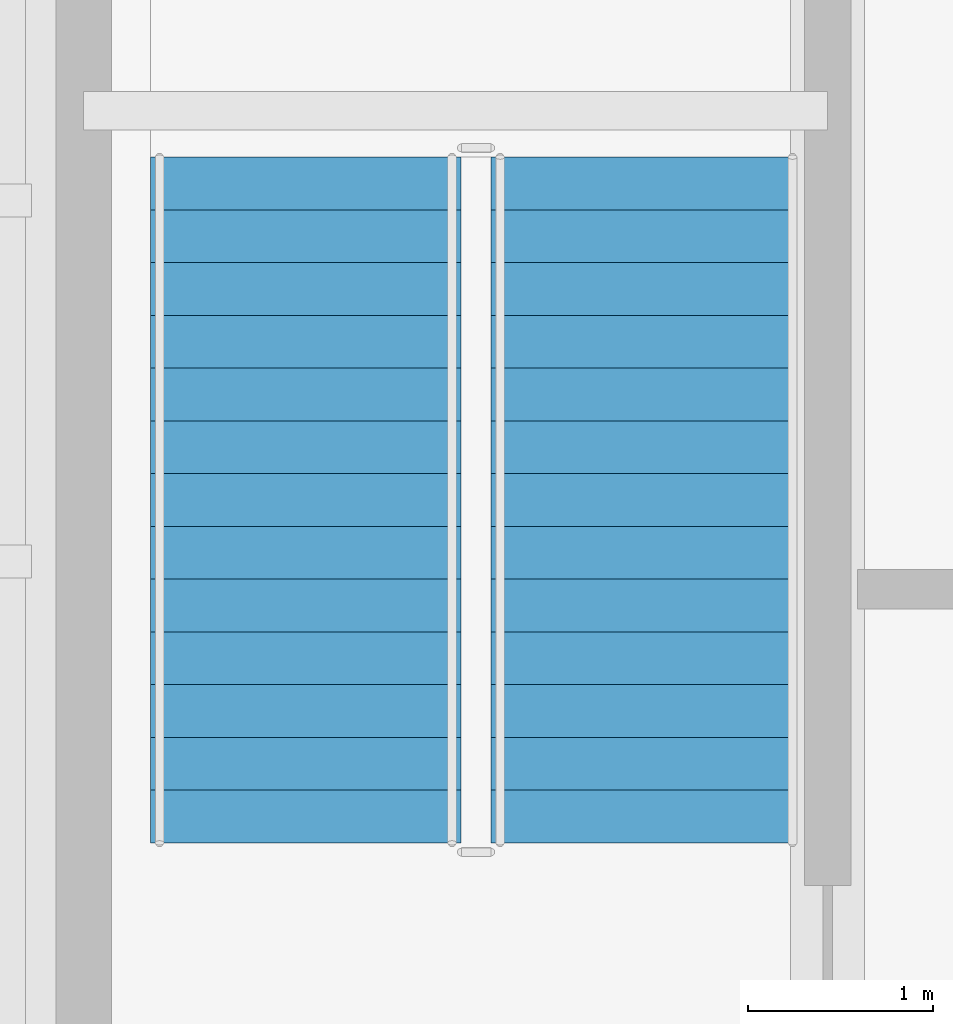
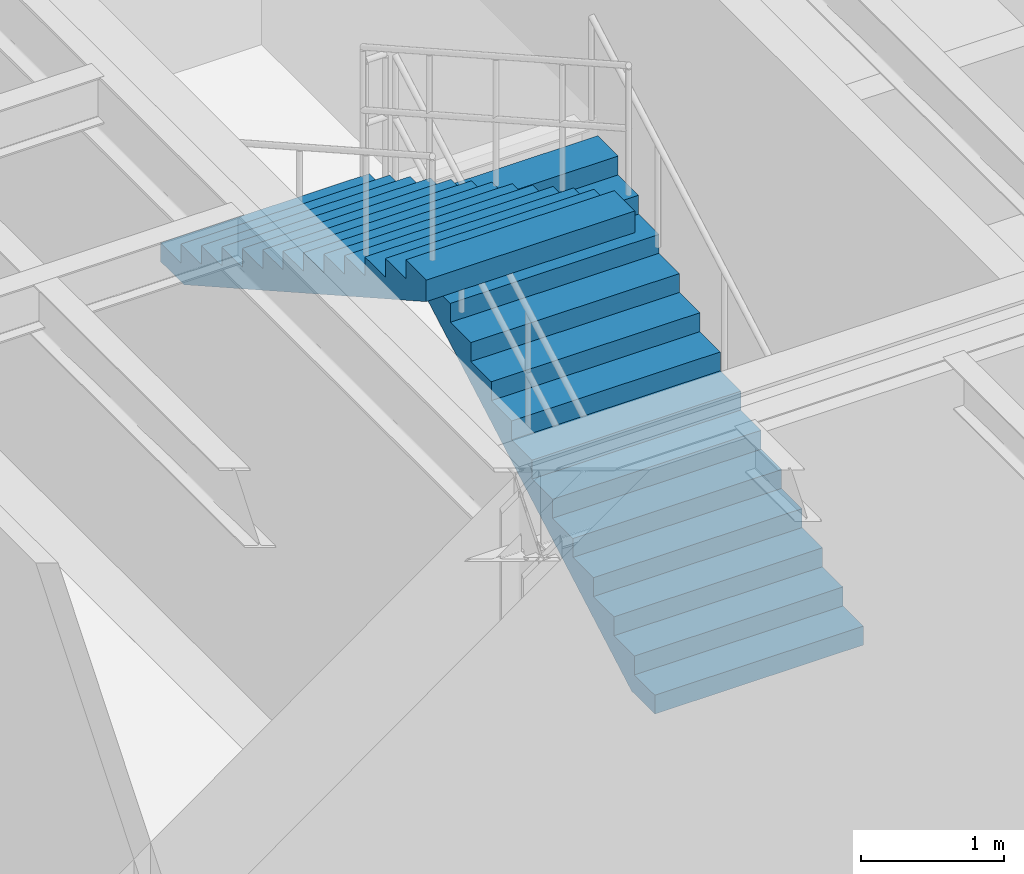
# One storey, part 37 of 41: 2 stair flights, 1 element without a shape of its own.
"""IFC4 building model written with IfcOpenShell, lengths in metres."""

from ifc_helpers import new_model, si_unit, direction, frame, origin, place, context, subcontext, project, spatial, polyline, outline, extrude, material, type_object, element, aggregate, save


model = new_model("IFC4")

# Units and contexts
model_context = context("Model", 3, precision=1e-05, world=origin(), true_north=direction((0.0, 1.0)))
body_context = subcontext(model_context, "Body", "Model", "MODEL_VIEW")
ifc_project = project(units=[si_unit("LENGTHUNIT", "METRE"), si_unit("AREAUNIT", "SQUARE_METRE"), si_unit("VOLUMEUNIT", "CUBIC_METRE"), si_unit("PLANEANGLEUNIT", "RADIAN"), si_unit("MASSUNIT", "GRAM", prefix="KILO")], contexts=[model_context])

# Site, building, storey
site_placement = place(None, origin())
site = spatial("IfcSite", under=ifc_project, at=site_placement, CompositionType="ELEMENT")
building_placement = place(site_placement, origin())
building = spatial("IfcBuilding", under=site, at=building_placement, Name="Selat Folded Stagehouse", CompositionType="ELEMENT")
storey_placement = place(building_placement, frame((0.0, 0.0, -4.5)))
storey = spatial("IfcBuildingStorey", under=building, at=storey_placement, Name="B1", CompositionType="ELEMENT", Elevation=-4.5)

# Stair, stair flights
ifc_material = material(Name="Concrete C40/50", Category="concrete")
stair_type = type_object("IfcStairType", Name="STR-DOG-1680-28R", PredefinedType="HALF_TURN_STAIR", material=ifc_material)
stair_placement = place(storey_placement, origin())
stair = element("IfcStair", 1, at=stair_placement, inside=storey, type_object=stair_type, Name="B1 Core 3 Foyer South Core", PredefinedType="HALF_TURN_STAIR")
stair_flight_type = type_object("IfcStairFlightType", Name="STF-STR-1680-14R", PredefinedType="STRAIGHT", material=ifc_material)
stair_flight_1_placement = place(storey_placement, frame((78.840087890625, 8.22998046875, 0.0), z_axis=(0.0, 0.0, 1.0), x_axis=(0.0, 1.0, 0.0)))
stair_flight_1 = element("IfcStairFlight", 2, at=stair_flight_1_placement, type_object=stair_flight_type, Name="ST-1680-28R flight 1", NumberOfRisers=14, NumberOfTreads=13, PredefinedType="STRAIGHT", RiserHeight=0.160714286, TreadLength=0.285, context=body_context, shape_type="SweptSolid", body=[
    extrude(outline(polyline([(0.0, 0.0), (0.0, 0.16064453125), (0.284912109375, 0.16064453125), (0.284912109375, 0.321533203125), (0.570068359375, 0.321533203125), (0.570068359375, 0.482177734375), (0.85498046875, 0.482177734375), (0.85498046875, 0.642822265625), (1.139892578125, 0.642822265625), (1.139892578125, 0.803466796875), (1.425048828125, 0.803466796875), (1.425048828125, 0.96435546875), (1.7099609375, 0.96435546875), (1.7099609375, 1.125), (1.9951171875, 1.125), (1.9951171875, 1.28564453125), (2.280029296875, 1.28564453125), (2.280029296875, 1.446533203125), (2.56494140625, 1.446533203125), (2.56494140625, 1.607177734375), (2.85009765625, 1.607177734375), (2.85009765625, 1.767822265625), (3.135009765625, 1.767822265625), (3.135009765625, 1.928466796875), (3.419921875, 1.928466796875), (3.419921875, 2.08935546875), (3.705078125, 2.08935546875), (3.705078125, 2.25), (3.705078125, 1.90576171875), (0.325439453125, 0.0), (0.0, 0.0)])), frame((0.0, 0.83984375, 0.0), z_axis=(0.0, -1.0, 0.0), x_axis=(1.0, 0.0, 0.0)), (0.0, 0.0, 1.0), 1.679931640625),
])
stair_flight_2_placement = place(storey_placement, frame((77.0, 11.93505859375, 2.25), z_axis=(0.0, 0.0, 1.0), x_axis=(0.0, -1.0, 0.0)))
stair_flight_2 = element("IfcStairFlight", 3, at=stair_flight_2_placement, type_object=stair_flight_type, Name="ST-1680-28R flight 2", NumberOfRisers=14, NumberOfTreads=13, PredefinedType="STRAIGHT", RiserHeight=0.160714286, TreadLength=0.285, context=body_context, shape_type="SweptSolid", body=[
    extrude(outline(polyline([(0.0, 0.0), (0.0, 0.16064453125), (0.284912109375, 0.16064453125), (0.284912109375, 0.321533203125), (0.570068359375, 0.321533203125), (0.570068359375, 0.482177734375), (0.85498046875, 0.482177734375), (0.85498046875, 0.642822265625), (1.139892578125, 0.642822265625), (1.139892578125, 0.803466796875), (1.425048828125, 0.803466796875), (1.425048828125, 0.96435546875), (1.7099609375, 0.96435546875), (1.7099609375, 1.125), (1.9951171875, 1.125), (1.9951171875, 1.28564453125), (2.280029296875, 1.28564453125), (2.280029296875, 1.446533203125), (2.56494140625, 1.446533203125), (2.56494140625, 1.607177734375), (2.85009765625, 1.607177734375), (2.85009765625, 1.767822265625), (3.135009765625, 1.767822265625), (3.135009765625, 1.928466796875), (3.419921875, 1.928466796875), (3.419921875, 2.08935546875), (3.705078125, 2.08935546875), (3.705078125, 2.25), (3.705078125, 1.90576171875), (0.325439453125, 0.0), (0.0, 0.0)])), frame((0.0, 0.83984375, 0.0), z_axis=(0.0, -1.0, 0.0), x_axis=(1.0, 0.0, 0.0)), (0.0, 0.0, 1.0), 1.679931640625),
])
aggregate(stair, [stair_flight_1, stair_flight_2])

save(model, "model.ifc")
